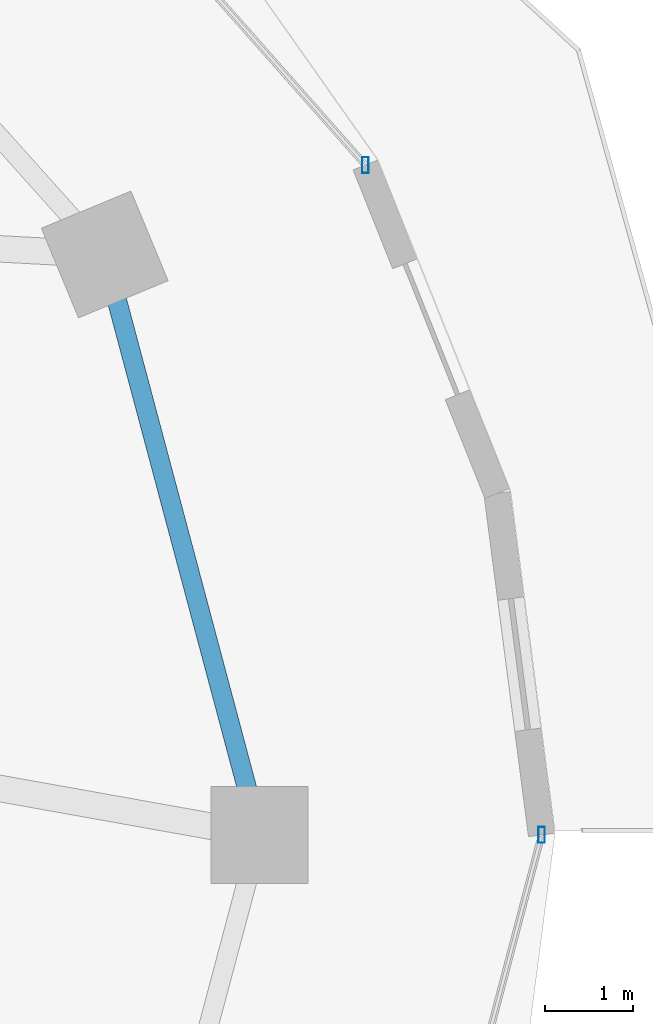
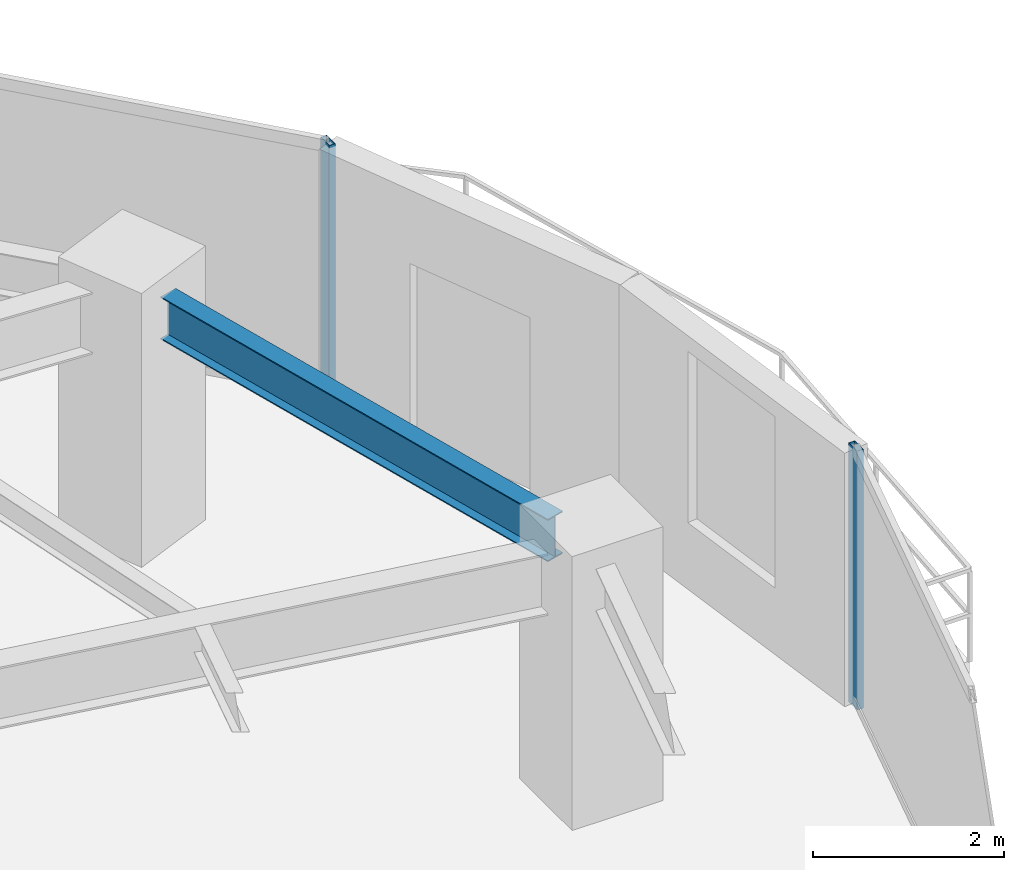
# One storey, part 16 of 30: 2 members, 1 beam, 2 elements without a shape of their own.
"""IFC4 building model written with IfcOpenShell, lengths in metres."""

from ifc_helpers import new_model, si_unit, direction, frame, origin, origin_2d, place, context, subcontext, project, spatial, hollow_rectangle, i_section, extrude, material, material_profile, profile_set, type_object, element, aggregate, save


model = new_model("IFC4")

# Units and contexts
model_context = context("Model", 3, precision=1e-05, world=origin(), true_north=direction((0.0, 1.0)))
body_context = subcontext(model_context, "Body", "Model", "MODEL_VIEW")
ifc_project = project(units=[si_unit("LENGTHUNIT", "METRE"), si_unit("AREAUNIT", "SQUARE_METRE"), si_unit("VOLUMEUNIT", "CUBIC_METRE"), si_unit("PLANEANGLEUNIT", "RADIAN"), si_unit("MASSUNIT", "GRAM", prefix="KILO")], contexts=[model_context])

# Site, building, storey
site_placement = place(None, origin())
site = spatial("IfcSite", under=ifc_project, at=site_placement, CompositionType="ELEMENT")
building_placement = place(site_placement, origin())
building = spatial("IfcBuilding", under=site, at=building_placement, Name="Vorneva Point Tower", CompositionType="ELEMENT")
storey_placement = place(building_placement, frame((0.0, 0.0, 78.800048828125)))
storey = spatial("IfcBuildingStorey", under=building, at=storey_placement, Name="L20", CompositionType="ELEMENT", Elevation=78.800048828125)

# Beam
ifc_material_1 = material(Name="Steel S355", Category="steel")
ifc_material_profile_1 = material_profile(ifc_material_1, i_section(OverallWidth=0.219970703125, OverallDepth=0.54296875, WebThickness=0.009521484375, FlangeThickness=0.013427734375, at=origin_2d()), Name="55B1")
ifc_profile_set_1 = profile_set([ifc_material_profile_1], Name="Steel S355")
beam_type = type_object("IfcBeamType", Name="BM-SPN-55B1", PredefinedType="SPANDREL", material=ifc_profile_set_1)
beam_placement = place(storey_placement, frame((60.912109375, 26.516845703125, 2.968505859375), z_axis=(-0.257572674071, 0.966258928845, 0.0), x_axis=(-0.966258928845, -0.257572674071, 0.0)))
element("IfcBeam", 1, at=beam_placement, inside=storey, type_object=beam_type, Name="L20 Perimeter Spandrel Ring Beam 01", PredefinedType="SPANDREL", context=body_context, shape_type="SweptSolid", body=[
    extrude(i_section(OverallWidth=0.219970703125, OverallDepth=0.54296875, WebThickness=0.009521484375, FlangeThickness=0.013427734375, at=origin_2d()), origin(), (0.0, 0.0, 1.0), 5.7421875),
])

# Curtain wall, member
ifc_material_2 = material(Name="Pale anodised aluminium", Category="aluminium")
curtain_wall_type = type_object("IfcCurtainWallType", Name="CW-HTL-SYS", PredefinedType="NOTDEFINED", material=ifc_material_2)
curtain_wall_1_placement = place(storey_placement, origin())
curtain_wall_1 = element("IfcCurtainWall", 2, at=curtain_wall_1_placement, inside=storey, type_object=curtain_wall_type, Name="L20 Unitised Curtain Wall CW-L20-R01", PredefinedType="NOTDEFINED")
ifc_material_profile_2 = material_profile(ifc_material_2, hollow_rectangle(XDim=0.074951171875, YDim=0.179931640625, WallThickness=0.00390625, at=origin_2d()), Name="AL-MUL 180x75x4")
ifc_profile_set_2 = profile_set([ifc_material_profile_2], Name="Pale anodised aluminium")
member_type = type_object("IfcMemberType", Name="CW-MUL-180", PredefinedType="MULLION", material=ifc_profile_set_2)
member_1_placement = place(storey_placement, frame((62.251708984375, 33.59619140625, -0.0400390625), z_axis=(0.0, 0.0, 1.0), x_axis=(1.0, 0.0, 0.0)))
member_1 = element("IfcMember", 3, at=member_1_placement, type_object=member_type, Name="CW-L20-R01 Mullion 01", PredefinedType="MULLION", context=body_context, shape_type="SweptSolid", body=[
    extrude(hollow_rectangle(XDim=0.074951171875, YDim=0.179931640625, WallThickness=0.00390625, at=origin_2d()), origin(), (0.0, 0.0, 1.0), 3.31005859375),
])
aggregate(curtain_wall_1, [member_1])

curtain_wall_2_placement = place(storey_placement, origin())
curtain_wall_2 = element("IfcCurtainWall", 4, at=curtain_wall_2_placement, inside=storey, type_object=curtain_wall_type, Name="L20 Unitised Curtain Wall CW-L20-R04", PredefinedType="NOTDEFINED")
member_2_placement = place(storey_placement, frame((64.25, 26.0, -0.0400390625), z_axis=(0.0, 0.0, 1.0), x_axis=(1.0, 0.0, 0.0)))
member_2 = element("IfcMember", 5, at=member_2_placement, type_object=member_type, Name="CW-L20-R04 Mullion 03", PredefinedType="MULLION", context=body_context, shape_type="SweptSolid", body=[
    extrude(hollow_rectangle(XDim=0.074951171875, YDim=0.179931640625, WallThickness=0.00390625, at=origin_2d()), origin(), (0.0, 0.0, 1.0), 3.31005859375),
])
aggregate(curtain_wall_2, [member_2])

save(model, "model.ifc")
